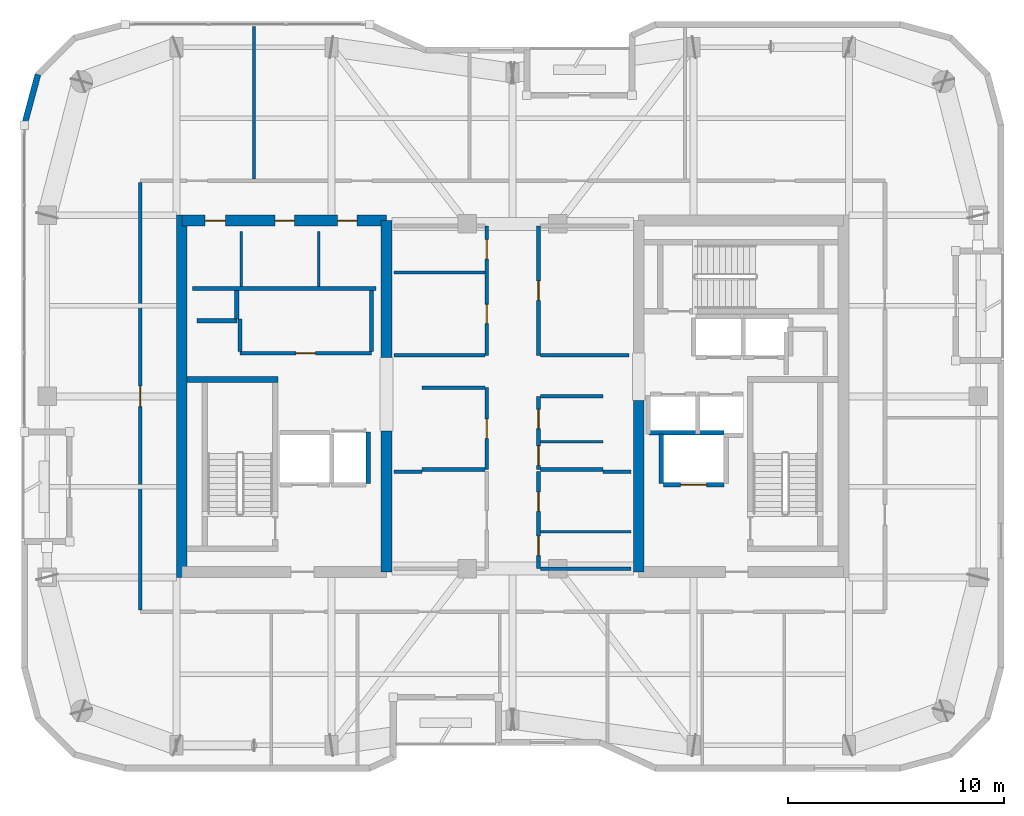
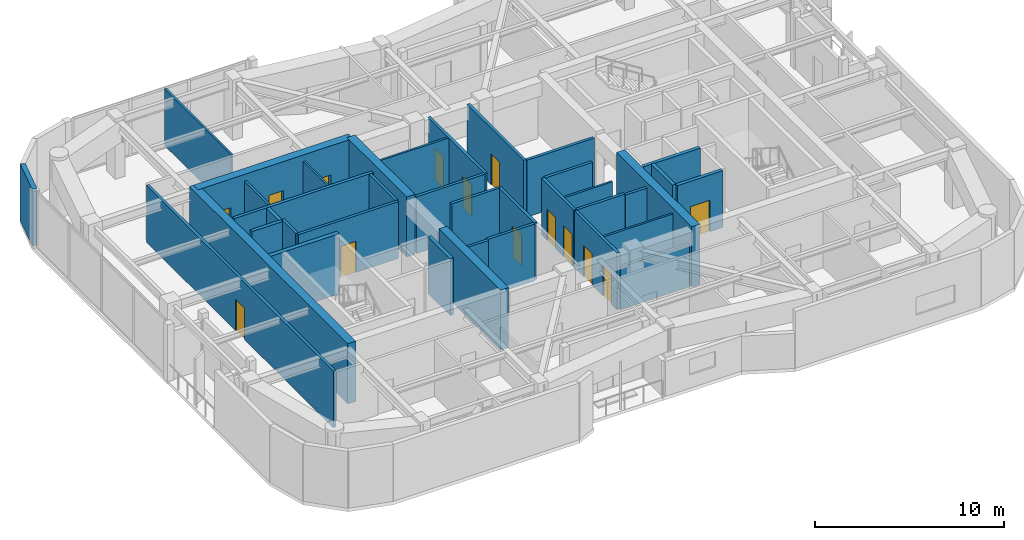
# One storey, part 11 of 15: 38 walls, 14 doors, 14 openings.
"""IFC4 building model written with IfcOpenShell, lengths in metres."""

from ifc_helpers import new_model, si_unit, direction, frame, frame_2d, origin, place, context, subcontext, project, spatial, rectangle, extrude, material, layer, layer_set, type_object, element, fill, save


model = new_model("IFC4")

# Units and contexts
model_context = context("Model", 3, precision=1e-05, world=origin(), true_north=direction((0.0, 1.0)))
body_context = subcontext(model_context, "Body", "Model", "MODEL_VIEW")
ifc_project = project(units=[si_unit("LENGTHUNIT", "METRE"), si_unit("AREAUNIT", "SQUARE_METRE"), si_unit("VOLUMEUNIT", "CUBIC_METRE"), si_unit("PLANEANGLEUNIT", "RADIAN"), si_unit("MASSUNIT", "GRAM", prefix="KILO")], contexts=[model_context])

# Site, building, storey
site_placement = place(None, origin())
site = spatial("IfcSite", under=ifc_project, at=site_placement, CompositionType="ELEMENT")
building_placement = place(site_placement, origin())
building = spatial("IfcBuilding", under=site, at=building_placement, Name="Kiyonajd Concourse Tower", CompositionType="ELEMENT")
storey_placement = place(building_placement, frame((0.0, 0.0, 318.0)))
storey = spatial("IfcBuildingStorey", under=building, at=storey_placement, Name="L80", CompositionType="ELEMENT", Elevation=318.0)

# Walls
ifc_material_1 = material(Name="Concrete C60/75", Category="concrete")
ifc_layer_1 = layer(ifc_material_1, 0.5)
ifc_layer_set_1 = layer_set([ifc_layer_1], Name="Concrete C60/75")
wall_type_1 = type_object("IfcWallType", Name="WL-CORE-500", PredefinedType="SHEAR", material=ifc_layer_set_1)
wall_1_placement = place(storey_placement, frame((32.64990234375, 27.60009765625, 0.0), z_axis=(0.0, 0.0, 1.0), x_axis=(0.0, 1.0, 0.0)))
element("IfcWall", 1, at=wall_1_placement, inside=storey, type_object=wall_type_1, Name="L80 West Core Outer Shear Wall", PredefinedType="SHEAR", context=body_context, shape_type="SweptSolid", body=[
    extrude(rectangle(XDim=16.7998046875, YDim=0.5, at=frame_2d((8.39990234375, 0.0))), origin(), (0.0, 0.0, 1.0), 3.89990234375),
])
wall_2_placement = place(storey_placement, frame((42.14990234375, 27.85009765625, 0.0), z_axis=(0.0, 0.0, 1.0), x_axis=(0.0, 1.0, 0.0)))
element("IfcWall", 2, at=wall_2_placement, inside=storey, type_object=wall_type_1, Name="L80 West Core Inner South Shear Wall", PredefinedType="SHEAR", context=body_context, shape_type="SweptSolid", body=[
    extrude(rectangle(XDim=6.5498046875, YDim=0.5, at=frame_2d((3.27490234375, 0.0))), origin(), (0.0, 0.0, 1.0), 3.89990234375),
])
wall_3_placement = place(storey_placement, frame((42.14990234375, 37.800048828125, 0.0), z_axis=(0.0, 0.0, 1.0), x_axis=(0.0, 1.0, 0.0)))
element("IfcWall", 3, at=wall_3_placement, inside=storey, type_object=wall_type_1, Name="L80 West Core Inner North Shear Wall", PredefinedType="SHEAR", context=body_context, shape_type="SweptSolid", body=[
    extrude(rectangle(XDim=6.349853515625, YDim=0.5, at=frame_2d((3.1748046875, 0.0))), origin(), (0.0, 0.0, 1.0), 3.89990234375),
])

# Wall, openings, doors
wall_4_placement = place(storey_placement, frame((32.64990234375, 44.14990234375, 0.0), z_axis=(0.0, 0.0, 1.0), x_axis=(1.0, 0.0, 0.0)))
wall_4 = element("IfcWall", 4, at=wall_4_placement, inside=storey, type_object=wall_type_1, Name="L80 West Core North Shear Wall", PredefinedType="SHEAR", context=body_context, shape_type="SweptSolid", body=[
    extrude(rectangle(XDim=9.5, YDim=0.5, at=frame_2d((4.75, 0.0))), origin(), (0.0, 0.0, 1.0), 3.89990234375),
])
opening_1_placement = place(wall_4_placement, frame((1.074951171875, 0.0, 0.0)))
opening_1 = element("IfcOpeningElement", 5, at=opening_1_placement, cuts=wall_4, Name="Opening DI1", PredefinedType="OPENING", context=body_context, shape_type="SweptSolid", body=[
    extrude(rectangle(XDim=0.949951171875, YDim=2.0400390625, at=frame_2d((0.47509765625, 1.02001953125))), frame((0.0, 0.260009765625, 0.0), z_axis=(0.0, -1.0, 0.0), x_axis=(1.0, 0.0, 0.0)), (0.0, 0.0, 1.0), 0.52001953125),
])
opening_2_placement = place(wall_4_placement, frame((4.324951171875, 0.0, 0.0)))
opening_2 = element("IfcOpeningElement", 6, at=opening_2_placement, cuts=wall_4, Name="Opening DI2", PredefinedType="OPENING", context=body_context, shape_type="SweptSolid", body=[
    extrude(rectangle(XDim=0.89990234375, YDim=2.02001953125, at=frame_2d((0.449951171875, 1.010009765625))), frame((0.0, 0.260009765625, 0.0), z_axis=(0.0, -1.0, 0.0), x_axis=(1.0, 0.0, 0.0)), (0.0, 0.0, 1.0), 0.52001953125),
])
opening_3_placement = place(wall_4_placement, frame((7.22509765625, 0.0, 0.0)))
opening_3 = element("IfcOpeningElement", 7, at=opening_3_placement, cuts=wall_4, Name="Opening DI2", PredefinedType="OPENING", context=body_context, shape_type="SweptSolid", body=[
    extrude(rectangle(XDim=0.89990234375, YDim=2.02001953125, at=frame_2d((0.449951171875, 1.010009765625))), frame((0.0, 0.260009765625, 0.0), z_axis=(0.0, -1.0, 0.0), x_axis=(1.0, 0.0, 0.0)), (0.0, 0.0, 1.0), 0.52001953125),
])
ifc_material_2 = material(Name="Natural Oak Acoustic Timber Veneer", Category="wood")
door_type_1 = type_object("IfcDoorType", Name="DR-INT-900", OperationType="NOTDEFINED", PredefinedType="DOOR", material=ifc_material_2)
door_1_placement = place(opening_2_placement, origin())
door_1 = element("IfcDoor", 8, at=door_1_placement, inside=storey, type_object=door_type_1, Name="L80 Male Restroom Door", OperationType="SINGLE_SWING_RIGHT", OverallHeight=2.02001953125, OverallWidth=0.89990234375, PredefinedType="DOOR", context=body_context, shape_type="SweptSolid", body=[
    extrude(rectangle(XDim=0.89990234375, YDim=2.02001953125, at=frame_2d((0.449951171875, 1.010009765625))), frame((0.0, 0.02490234375, 0.0), z_axis=(0.0, -1.0, 0.0), x_axis=(1.0, 0.0, 0.0)), (0.0, 0.0, 1.0), 0.050048828125),
])
fill(opening_2, door_1)
door_2_placement = place(opening_3_placement, origin())
door_2 = element("IfcDoor", 9, at=door_2_placement, inside=storey, type_object=door_type_1, Name="L80 Female Restroom Door", OperationType="SINGLE_SWING_LEFT", OverallHeight=2.02001953125, OverallWidth=0.89990234375, PredefinedType="DOOR", context=body_context, shape_type="SweptSolid", body=[
    extrude(rectangle(XDim=0.89990234375, YDim=2.02001953125, at=frame_2d((0.449951171875, 1.010009765625))), frame((0.0, 0.02490234375, 0.0), z_axis=(0.0, -1.0, 0.0), x_axis=(1.0, 0.0, 0.0)), (0.0, 0.0, 1.0), 0.050048828125),
])
fill(opening_3, door_2)
door_type_2 = type_object("IfcDoorType", Name="DR-INT-950", OperationType="NOTDEFINED", PredefinedType="DOOR", material=ifc_material_2)
door_3_placement = place(opening_1_placement, origin())
door_3 = element("IfcDoor", 10, at=door_3_placement, inside=storey, type_object=door_type_2, Name="L80 Single User Accessible WC Door", OperationType="SINGLE_SWING_LEFT", OverallHeight=2.0400390625, OverallWidth=0.949951171875, PredefinedType="DOOR", context=body_context, shape_type="SweptSolid", body=[
    extrude(rectangle(XDim=0.949951171875, YDim=2.0400390625, at=frame_2d((0.47509765625, 1.02001953125))), frame((0.0, 0.02490234375, 0.0), z_axis=(0.0, -1.0, 0.0), x_axis=(1.0, 0.0, 0.0)), (0.0, 0.0, 1.0), 0.050048828125),
])
fill(opening_1, door_3)

# Walls
wall_5_placement = place(storey_placement, frame((53.85009765625, 27.85009765625, 0.0), z_axis=(0.0, 0.0, 1.0), x_axis=(0.0, 1.0, 0.0)))
element("IfcWall", 11, at=wall_5_placement, inside=storey, type_object=wall_type_1, Name="L80 East Core Inner South Shear Wall", PredefinedType="SHEAR", context=body_context, shape_type="SweptSolid", body=[
    extrude(rectangle(XDim=7.949951171875, YDim=0.5, at=frame_2d((3.97509765625, 0.0))), origin(), (0.0, 0.0, 1.0), 3.89990234375),
])
ifc_material_3 = material(Name="Precast concrete C50/60", Category="concrete")
ifc_layer_2 = layer(ifc_material_3, 0.280029296875)
ifc_layer_set_2 = layer_set([ifc_layer_2], Name="Precast concrete C50/60")
wall_type_2 = type_object("IfcWallType", Name="WL-EXT-280", PredefinedType="SOLIDWALL", material=ifc_layer_set_2)
wall_6_placement = place(storey_placement, frame((25.340087890625, 48.58154296875, 0.0), z_axis=(0.0, 0.0, 1.0), x_axis=(0.258751159445, 0.965944013639, 0.0)))
element("IfcWall", 12, at=wall_6_placement, inside=storey, type_object=wall_type_2, Name="L80 Exterior Concrete Frame Wall 06", PredefinedType="SOLIDWALL", context=body_context, shape_type="SweptSolid", body=[
    extrude(rectangle(XDim=2.4287109375, YDim=0.280029296875, at=frame_2d((1.21435546875, 0.0))), origin(), (0.0, 0.0, 1.0), 3.679931640625),
])
ifc_material_4 = material(Name="Gypsum Board on Cold-Formed Steel Stud", Category="steel")
ifc_layer_3 = layer(ifc_material_4, 0.125)
ifc_layer_set_3 = layer_set([ifc_layer_3], Name="Gypsum Board on Cold-Formed Steel Stud")
wall_type_3 = type_object("IfcWallType", Name="WL-PART-125", PredefinedType="PARTITIONING", material=ifc_layer_set_3)
for number, where, z_axis, x_axis, name in (
    (13, (35.39990234375, 41.094970703125, 0.0), (0.0, 0.0, 1.0), (0.0, 1.0, 0.0), "L80 Interior Partition Wall"),
    (14, (39.0, 41.094970703125, 0.0), (0.0, 0.0, 1.0), (0.0, 1.0, 0.0), "L80 Interior Partition Wall"),
):
    element("IfcWall", number, at=place(storey_placement, frame(where, z_axis=z_axis, x_axis=x_axis)), inside=storey, type_object=wall_type_3, Name=name, PredefinedType="PARTITIONING", context=body_context, shape_type="SweptSolid", body=[
        extrude(rectangle(XDim=2.554931640625, YDim=0.125, at=frame_2d((1.27734375, 0.0))), origin(), (0.0, 0.0, 1.0), 3.679931640625),
    ])
wall_7_placement = place(storey_placement, frame((49.287109375, 33.89208984375, 0.0), z_axis=(0.0, 0.0, 1.0), x_axis=(1.0, 0.0, 0.0)))
element("IfcWall", 15, at=wall_7_placement, inside=storey, type_object=wall_type_3, Name="L80 Interior Partition Wall", PredefinedType="PARTITIONING", context=body_context, shape_type="SweptSolid", body=[
    extrude(rectangle(XDim=2.912841796875, YDim=0.125, at=frame_2d((1.45654296875, 0.0))), origin(), (0.0, 0.0, 1.0), 3.679931640625),
])
for number, where, z_axis, x_axis, name in (
    (16, (49.287109375, 29.7099609375, 0.0), (0.0, 0.0, 1.0), (1.0, 0.0, 0.0), "L80 Interior Partition Wall"),
    (17, (42.5, 41.739990234375, 0.0), (0.0, 0.0, 1.0), (1.0, 0.0, 0.0), "L80 Interior Partition Wall"),
):
    element("IfcWall", number, at=place(storey_placement, frame(where, z_axis=z_axis, x_axis=x_axis)), inside=storey, type_object=wall_type_3, Name=name, PredefinedType="PARTITIONING", context=body_context, shape_type="SweptSolid", body=[
        extrude(rectangle(XDim=4.212890625, YDim=0.125, at=frame_2d((2.1064453125, 0.0))), origin(), (0.0, 0.0, 1.0), 3.679931640625),
    ])
wall_8_placement = place(storey_placement, frame((36.0, 46.0869140625, 0.0), z_axis=(0.0, 0.0, 1.0), x_axis=(0.0, 1.0, 0.0)))
element("IfcWall", 18, at=wall_8_placement, inside=storey, type_object=wall_type_3, Name="L80 Interior Partition Wall", PredefinedType="PARTITIONING", context=body_context, shape_type="SweptSolid", body=[
    extrude(rectangle(XDim=7.078125, YDim=0.125, at=frame_2d((3.5390625, 0.0))), origin(), (0.0, 0.0, 1.0), 3.679931640625),
])
ifc_layer_4 = layer(ifc_material_4, 0.18994140625)
ifc_layer_set_4 = layer_set([ifc_layer_4], Name="Gypsum Board on Cold-Formed Steel Stud")
wall_type_4 = type_object("IfcWallType", Name="WL-PLMB-190", PredefinedType="PLUMBINGWALL", material=ifc_layer_set_4)
wall_9_placement = place(storey_placement, frame((33.14990234375, 41.0, 0.0), z_axis=(0.0, 0.0, 1.0), x_axis=(1.0, 0.0, 0.0)))
element("IfcWall", 19, at=wall_9_placement, inside=storey, type_object=wall_type_4, Name="L80 Interior Partition Wall", PredefinedType="PLUMBINGWALL", context=body_context, shape_type="SweptSolid", body=[
    extrude(rectangle(XDim=8.5, YDim=0.18994140625, at=frame_2d((4.25, 0.0))), origin(), (0.0, 0.0, 1.0), 3.679931640625),
])
ifc_layer_5 = layer(ifc_material_4, 0.2099609375)
ifc_layer_set_5 = layer_set([ifc_layer_5], Name="Gypsum Board on Cold-Formed Steel Stud")
wall_type_5 = type_object("IfcWallType", Name="WL-SHAFT-210", PredefinedType="PARTITIONING", material=ifc_layer_set_5)
wall_10_placement = place(storey_placement, frame((33.360107421875, 39.5, 0.0), z_axis=(0.0, 0.0, 1.0), x_axis=(1.0, 0.0, 0.0)))
element("IfcWall", 20, at=wall_10_placement, inside=storey, type_object=wall_type_5, Name="L80 Shaft Enclosure Wall", PredefinedType="PARTITIONING", context=body_context, shape_type="SweptSolid", body=[
    extrude(rectangle(XDim=1.85986328125, YDim=0.2099609375, at=frame_2d((0.929931640625, 0.0))), origin(), (0.0, 0.0, 1.0), 3.679931640625),
])
wall_11_placement = place(storey_placement, frame((35.199951171875, 39.580078125, 0.0), z_axis=(0.0, 0.0, 1.0), x_axis=(0.0, 1.0, 0.0)))
element("IfcWall", 21, at=wall_11_placement, inside=storey, type_object=wall_type_5, Name="L80 Shaft Enclosure Wall", PredefinedType="PARTITIONING", context=body_context, shape_type="SweptSolid", body=[
    extrude(rectangle(XDim=1.31982421875, YDim=0.2099609375, at=frame_2d((0.659912109375, 0.0))), origin(), (0.0, 0.0, 1.0), 3.679931640625),
])

# Wall, opening, door
wall_12_placement = place(storey_placement, frame((55.0, 31.89990234375, 0.0), z_axis=(0.0, 0.0, 1.0), x_axis=(1.0, 0.0, 0.0)))
wall_12 = element("IfcWall", 22, at=wall_12_placement, inside=storey, type_object=wall_type_5, Name="L80 Shaft Enclosure Wall", PredefinedType="PARTITIONING", context=body_context, shape_type="SweptSolid", body=[
    extrude(rectangle(XDim=2.800048828125, YDim=0.2099609375, at=frame_2d((1.39990234375, 0.0))), origin(), (0.0, 0.0, 1.0), 3.679931640625),
])
opening_4_placement = place(wall_12_placement, frame((0.800048828125, 0.0, 0.0)))
opening_4 = element("IfcOpeningElement", 23, at=opening_4_placement, cuts=wall_12, Name="Opening LD2", PredefinedType="OPENING", context=body_context, shape_type="SweptSolid", body=[
    extrude(rectangle(XDim=1.199951171875, YDim=2.0400390625, at=frame_2d((0.60009765625, 1.02001953125))), frame((0.0, 0.114990234375, 0.0), z_axis=(0.0, -1.0, 0.0), x_axis=(1.0, 0.0, 0.0)), (0.0, 0.0, 1.0), 0.22998046875),
])
ifc_material_5 = material(Name="Brushed Stainless Steel Cab Assembly", Category="steel")
door_type_3 = type_object("IfcDoorType", Name="DR-LD-1200", OperationType="DOUBLE_DOOR_SLIDING", PredefinedType="DOOR", material=ifc_material_5)
door_4_placement = place(opening_4_placement, origin())
door_4 = element("IfcDoor", 24, at=door_4_placement, inside=storey, type_object=door_type_3, Name="L80 Lift FFL2 Sliding Landing Door", OperationType="DOUBLE_DOOR_SLIDING", OverallHeight=2.0400390625, OverallWidth=1.199951171875, PredefinedType="DOOR", context=body_context, shape_type="SweptSolid", body=[
    extrude(rectangle(XDim=1.199951171875, YDim=2.0400390625, at=frame_2d((0.60009765625, 1.02001953125))), frame((0.0, 0.02490234375, 0.0), z_axis=(0.0, -1.0, 0.0), x_axis=(1.0, 0.0, 0.0)), (0.0, 0.0, 1.0), 0.050048828125),
])
fill(opening_4, door_4)

# Walls
wall_13_placement = place(storey_placement, frame((54.320068359375, 34.300048828125, 0.0), z_axis=(0.0, 0.0, 1.0), x_axis=(1.0, 0.0, 0.0)))
element("IfcWall", 25, at=wall_13_placement, inside=storey, type_object=wall_type_5, Name="L80 Shaft Enclosure Wall", PredefinedType="PARTITIONING", context=body_context, shape_type="SweptSolid", body=[
    extrude(rectangle(XDim=3.47998046875, YDim=0.2099609375, at=frame_2d((1.739990234375, 0.0))), origin(), (0.0, 0.0, 1.0), 3.679931640625),
])
wall_14_placement = place(storey_placement, frame((54.89990234375, 31.9599609375, 0.0), z_axis=(0.0, 0.0, 1.0), x_axis=(0.0, 1.0, 0.0)))
element("IfcWall", 26, at=wall_14_placement, inside=storey, type_object=wall_type_5, Name="L80 Shaft Enclosure Wall", PredefinedType="PARTITIONING", context=body_context, shape_type="SweptSolid", body=[
    extrude(rectangle(XDim=2.280029296875, YDim=0.2099609375, at=frame_2d((1.14013671875, 0.0))), origin(), (0.0, 0.0, 1.0), 3.679931640625),
])
wall_15_placement = place(storey_placement, frame((41.300048828125, 31.9599609375, 0.0), z_axis=(0.0, 0.0, 1.0), x_axis=(0.0, 1.0, 0.0)))
element("IfcWall", 27, at=wall_15_placement, inside=storey, type_object=wall_type_5, Name="L80 Shaft Enclosure Wall", PredefinedType="PARTITIONING", context=body_context, shape_type="SweptSolid", body=[
    extrude(rectangle(XDim=2.380126953125, YDim=0.2099609375, at=frame_2d((1.18994140625, 0.0))), origin(), (0.0, 0.0, 1.0), 3.679931640625),
])

# Wall, opening, door
ifc_layer_6 = layer(ifc_material_4, 0.169921875)
ifc_layer_set_6 = layer_set([ifc_layer_6], Name="Gypsum Board on Cold-Formed Steel Stud")
wall_type_6 = type_object("IfcWallType", Name="WL-SMK-170", PredefinedType="PARTITIONING", material=ifc_layer_set_6)
wall_16_placement = place(storey_placement, frame((35.35009765625, 38.0, 0.0), z_axis=(0.0, 0.0, 1.0), x_axis=(1.0, 0.0, 0.0)))
wall_16 = element("IfcWall", 28, at=wall_16_placement, inside=storey, type_object=wall_type_6, Name="L80 Interior Partition Wall", PredefinedType="PARTITIONING", context=body_context, shape_type="SweptSolid", body=[
    extrude(rectangle(XDim=6.099853515625, YDim=0.169921875, at=frame_2d((3.0498046875, 0.0))), origin(), (0.0, 0.0, 1.0), 3.679931640625),
])
opening_5_placement = place(wall_16_placement, frame((2.60009765625, 0.0, 0.0)))
opening_5 = element("IfcOpeningElement", 29, at=opening_5_placement, cuts=wall_16, Name="Opening DI2", PredefinedType="OPENING", context=body_context, shape_type="SweptSolid", body=[
    extrude(rectangle(XDim=0.89990234375, YDim=2.02001953125, at=frame_2d((0.449951171875, 1.010009765625))), frame((0.0, 0.094970703125, 0.0), z_axis=(0.0, -1.0, 0.0), x_axis=(1.0, 0.0, 0.0)), (0.0, 0.0, 1.0), 0.18994140625),
])
door_5_placement = place(opening_5_placement, origin())
door_5 = element("IfcDoor", 30, at=door_5_placement, inside=storey, type_object=door_type_1, Name="L80 Interior Door", OperationType="SINGLE_SWING_LEFT", OverallHeight=2.02001953125, OverallWidth=0.89990234375, PredefinedType="DOOR", context=body_context, shape_type="SweptSolid", body=[
    extrude(rectangle(XDim=0.89990234375, YDim=2.02001953125, at=frame_2d((0.449951171875, 1.010009765625))), frame((0.0, 0.02490234375, 0.0), z_axis=(0.0, -1.0, 0.0), x_axis=(1.0, 0.0, 0.0)), (0.0, 0.0, 1.0), 0.050048828125),
])
fill(opening_5, door_5)

# Walls
wall_17_placement = place(storey_placement, frame((35.35009765625, 38.0869140625, 0.0), z_axis=(0.0, 0.0, 1.0), x_axis=(0.0, 1.0, 0.0)))
element("IfcWall", 31, at=wall_17_placement, inside=storey, type_object=wall_type_6, Name="L80 Interior Partition Wall", PredefinedType="PARTITIONING", context=body_context, shape_type="SweptSolid", body=[
    extrude(rectangle(XDim=1.4931640625, YDim=0.169921875, at=frame_2d((0.74658203125, 0.0))), origin(), (0.0, 0.0, 1.0), 3.679931640625),
])
wall_18_placement = place(storey_placement, frame((41.449951171875, 38.0869140625, 0.0), z_axis=(0.0, 0.0, 1.0), x_axis=(0.0, 1.0, 0.0)))
element("IfcWall", 32, at=wall_18_placement, inside=storey, type_object=wall_type_6, Name="L80 Interior Partition Wall", PredefinedType="PARTITIONING", context=body_context, shape_type="SweptSolid", body=[
    extrude(rectangle(XDim=2.81298828125, YDim=0.169921875, at=frame_2d((1.406494140625, 0.0))), origin(), (0.0, 0.0, 1.0), 3.679931640625),
])

# Wall, opening, door
wall_19_placement = place(storey_placement, frame((46.800048828125, 32.60009765625, 0.0), z_axis=(0.0, 0.0, 1.0), x_axis=(0.0, 1.0, 0.0)))
wall_19 = element("IfcWall", 33, at=wall_19_placement, inside=storey, type_object=wall_type_6, Name="L80 Interior Partition Wall", PredefinedType="PARTITIONING", context=body_context, shape_type="SweptSolid", body=[
    extrude(rectangle(XDim=3.7998046875, YDim=0.169921875, at=frame_2d((1.89990234375, 0.0))), origin(), (0.0, 0.0, 1.0), 3.679931640625),
])
opening_6_placement = place(wall_19_placement, frame((1.449951171875, 0.0, 0.0)))
opening_6 = element("IfcOpeningElement", 34, at=opening_6_placement, cuts=wall_19, Name="Opening DI2", PredefinedType="OPENING", context=body_context, shape_type="SweptSolid", body=[
    extrude(rectangle(XDim=0.89990234375, YDim=2.02001953125, at=frame_2d((0.449951171875, 1.010009765625))), frame((0.0, 0.094970703125, 0.0), z_axis=(0.0, -1.0, 0.0), x_axis=(1.0, 0.0, 0.0)), (0.0, 0.0, 1.0), 0.18994140625),
])
door_6_placement = place(opening_6_placement, origin())
door_6 = element("IfcDoor", 35, at=door_6_placement, inside=storey, type_object=door_type_1, Name="L80 Interior Door", OperationType="SINGLE_SWING_RIGHT", OverallHeight=2.02001953125, OverallWidth=0.89990234375, PredefinedType="DOOR", context=body_context, shape_type="SweptSolid", body=[
    extrude(rectangle(XDim=0.89990234375, YDim=2.02001953125, at=frame_2d((0.449951171875, 1.010009765625))), frame((0.0, 0.02490234375, 0.0), z_axis=(0.0, -1.0, 0.0), x_axis=(1.0, 0.0, 0.0)), (0.0, 0.0, 1.0), 0.050048828125),
])
fill(opening_6, door_6)

# Walls
for number, where, z_axis, x_axis, name in (
    (36, (43.800048828125, 32.60009765625, 0.0), (0.0, 0.0, 1.0), (1.0, 0.0, 0.0), "L80 Interior Partition Wall"),
    (37, (43.800048828125, 36.39990234375, 0.0), (0.0, 0.0, 1.0), (1.0, 0.0, 0.0), "L80 Interior Partition Wall"),
):
    element("IfcWall", number, at=place(storey_placement, frame(where, z_axis=z_axis, x_axis=x_axis)), inside=storey, type_object=wall_type_6, Name=name, PredefinedType="PARTITIONING", context=body_context, shape_type="SweptSolid", body=[
        extrude(rectangle(XDim=2.912841796875, YDim=0.169921875, at=frame_2d((1.45654296875, 0.0))), origin(), (0.0, 0.0, 1.0), 3.679931640625),
    ])

# Wall, openings, doors
wall_20_placement = place(storey_placement, frame((49.199951171875, 32.60009765625, 0.0), z_axis=(0.0, 0.0, 1.0), x_axis=(0.0, 1.0, 0.0)))
wall_20 = element("IfcWall", 38, at=wall_20_placement, inside=storey, type_object=wall_type_6, Name="L80 Interior Partition Wall", PredefinedType="PARTITIONING", context=body_context, shape_type="SweptSolid", body=[
    extrude(rectangle(XDim=3.39990234375, YDim=0.169921875, at=frame_2d((1.699951171875, 0.0))), origin(), (0.0, 0.0, 1.0), 3.679931640625),
])
opening_7_placement = place(wall_20_placement, frame((0.196044921875, 0.0, 0.0)))
opening_7 = element("IfcOpeningElement", 39, at=opening_7_placement, cuts=wall_20, Name="Opening DI2", PredefinedType="OPENING", context=body_context, shape_type="SweptSolid", body=[
    extrude(rectangle(XDim=0.89990234375, YDim=2.02001953125, at=frame_2d((0.449951171875, 1.010009765625))), frame((0.0, 0.094970703125, 0.0), z_axis=(0.0, -1.0, 0.0), x_axis=(1.0, 0.0, 0.0)), (0.0, 0.0, 1.0), 0.18994140625),
])
opening_8_placement = place(wall_20_placement, frame((1.89599609375, 0.0, 0.0)))
opening_8 = element("IfcOpeningElement", 40, at=opening_8_placement, cuts=wall_20, Name="Opening DI2", PredefinedType="OPENING", context=body_context, shape_type="SweptSolid", body=[
    extrude(rectangle(XDim=0.89990234375, YDim=2.02001953125, at=frame_2d((0.449951171875, 1.010009765625))), frame((0.0, 0.094970703125, 0.0), z_axis=(0.0, -1.0, 0.0), x_axis=(1.0, 0.0, 0.0)), (0.0, 0.0, 1.0), 0.18994140625),
])
door_7_placement = place(opening_7_placement, origin())
door_7 = element("IfcDoor", 41, at=door_7_placement, inside=storey, type_object=door_type_1, Name="L80 Interior Door", OperationType="SINGLE_SWING_LEFT", OverallHeight=2.02001953125, OverallWidth=0.89990234375, PredefinedType="DOOR", context=body_context, shape_type="SweptSolid", body=[
    extrude(rectangle(XDim=0.89990234375, YDim=2.02001953125, at=frame_2d((0.449951171875, 1.010009765625))), frame((0.0, 0.02490234375, 0.0), z_axis=(0.0, -1.0, 0.0), x_axis=(1.0, 0.0, 0.0)), (0.0, 0.0, 1.0), 0.050048828125),
])
fill(opening_7, door_7)
door_8_placement = place(opening_8_placement, origin())
door_8 = element("IfcDoor", 42, at=door_8_placement, inside=storey, type_object=door_type_1, Name="L80 Interior Door", OperationType="SINGLE_SWING_RIGHT", OverallHeight=2.02001953125, OverallWidth=0.89990234375, PredefinedType="DOOR", context=body_context, shape_type="SweptSolid", body=[
    extrude(rectangle(XDim=0.89990234375, YDim=2.02001953125, at=frame_2d((0.449951171875, 1.010009765625))), frame((0.0, 0.02490234375, 0.0), z_axis=(0.0, -1.0, 0.0), x_axis=(1.0, 0.0, 0.0)), (0.0, 0.0, 1.0), 0.050048828125),
])
fill(opening_8, door_8)

# Walls
for number, where, z_axis, x_axis, name in (
    (43, (49.287109375, 32.60009765625, 0.0), (0.0, 0.0, 1.0), (1.0, 0.0, 0.0), "L80 Interior Partition Wall"),
    (44, (49.287109375, 36.0, 0.0), (0.0, 0.0, 1.0), (1.0, 0.0, 0.0), "L80 Interior Partition Wall"),
):
    element("IfcWall", number, at=place(storey_placement, frame(where, z_axis=z_axis, x_axis=x_axis)), inside=storey, type_object=wall_type_6, Name=name, PredefinedType="PARTITIONING", context=body_context, shape_type="SweptSolid", body=[
        extrude(rectangle(XDim=2.912841796875, YDim=0.169921875, at=frame_2d((1.45654296875, 0.0))), origin(), (0.0, 0.0, 1.0), 3.679931640625),
    ])
wall_21_placement = place(storey_placement, frame((42.5, 32.5, 0.0), z_axis=(0.0, 0.0, 1.0), x_axis=(1.0, 0.0, 0.0)))
element("IfcWall", 45, at=wall_21_placement, inside=storey, type_object=wall_type_6, Name="L80 Interior Partition Wall", PredefinedType="PARTITIONING", context=body_context, shape_type="SweptSolid", body=[
    extrude(rectangle(XDim=1.300048828125, YDim=0.169921875, at=frame_2d((0.64990234375, 0.0))), origin(), (0.0, 0.0, 1.0), 3.679931640625),
])

# Wall, openings, doors
wall_22_placement = place(storey_placement, frame((49.199951171875, 28.0, 0.0), z_axis=(0.0, 0.0, 1.0), x_axis=(0.0, 1.0, 0.0)))
wall_22 = element("IfcWall", 46, at=wall_22_placement, inside=storey, type_object=wall_type_6, Name="L80 Interior Partition Wall", PredefinedType="PARTITIONING", context=body_context, shape_type="SweptSolid", body=[
    extrude(rectangle(XDim=4.5, YDim=0.169921875, at=frame_2d((2.25, 0.0))), origin(), (0.0, 0.0, 1.0), 3.679931640625),
])
opening_9_placement = place(wall_22_placement, frame((0.60498046875, 0.0, 0.0)))
opening_9 = element("IfcOpeningElement", 47, at=opening_9_placement, cuts=wall_22, Name="Opening DI2", PredefinedType="OPENING", context=body_context, shape_type="SweptSolid", body=[
    extrude(rectangle(XDim=0.89990234375, YDim=2.02001953125, at=frame_2d((0.449951171875, 1.010009765625))), frame((0.0, 0.094970703125, 0.0), z_axis=(0.0, -1.0, 0.0), x_axis=(1.0, 0.0, 0.0)), (0.0, 0.0, 1.0), 0.18994140625),
])
opening_10_placement = place(wall_22_placement, frame((2.655029296875, 0.0, 0.0)))
opening_10 = element("IfcOpeningElement", 48, at=opening_10_placement, cuts=wall_22, Name="Opening DI2", PredefinedType="OPENING", context=body_context, shape_type="SweptSolid", body=[
    extrude(rectangle(XDim=0.89990234375, YDim=2.02001953125, at=frame_2d((0.449951171875, 1.010009765625))), frame((0.0, 0.094970703125, 0.0), z_axis=(0.0, -1.0, 0.0), x_axis=(1.0, 0.0, 0.0)), (0.0, 0.0, 1.0), 0.18994140625),
])
door_9_placement = place(opening_9_placement, origin())
door_9 = element("IfcDoor", 49, at=door_9_placement, inside=storey, type_object=door_type_1, Name="L80 Interior Door", OperationType="SINGLE_SWING_RIGHT", OverallHeight=2.02001953125, OverallWidth=0.89990234375, PredefinedType="DOOR", context=body_context, shape_type="SweptSolid", body=[
    extrude(rectangle(XDim=0.89990234375, YDim=2.02001953125, at=frame_2d((0.449951171875, 1.010009765625))), frame((0.0, 0.02490234375, 0.0), z_axis=(0.0, -1.0, 0.0), x_axis=(1.0, 0.0, 0.0)), (0.0, 0.0, 1.0), 0.050048828125),
])
fill(opening_9, door_9)
door_10_placement = place(opening_10_placement, origin())
door_10 = element("IfcDoor", 50, at=door_10_placement, inside=storey, type_object=door_type_1, Name="L80 Interior Door", OperationType="SINGLE_SWING_LEFT", OverallHeight=2.02001953125, OverallWidth=0.89990234375, PredefinedType="DOOR", context=body_context, shape_type="SweptSolid", body=[
    extrude(rectangle(XDim=0.89990234375, YDim=2.02001953125, at=frame_2d((0.449951171875, 1.010009765625))), frame((0.0, 0.02490234375, 0.0), z_axis=(0.0, -1.0, 0.0), x_axis=(1.0, 0.0, 0.0)), (0.0, 0.0, 1.0), 0.050048828125),
])
fill(opening_10, door_10)

# Walls
wall_23_placement = place(storey_placement, frame((49.287109375, 28.0, 0.0), z_axis=(0.0, 0.0, 1.0), x_axis=(1.0, 0.0, 0.0)))
element("IfcWall", 51, at=wall_23_placement, inside=storey, type_object=wall_type_6, Name="L80 Interior Partition Wall", PredefinedType="PARTITIONING", context=body_context, shape_type="SweptSolid", body=[
    extrude(rectangle(XDim=4.212890625, YDim=0.169921875, at=frame_2d((2.1064453125, 0.0))), origin(), (0.0, 0.0, 1.0), 2.764892578125),
])
wall_24_placement = place(storey_placement, frame((52.199951171875, 32.5, 0.0), z_axis=(0.0, 0.0, 1.0), x_axis=(1.0, 0.0, 0.0)))
element("IfcWall", 52, at=wall_24_placement, inside=storey, type_object=wall_type_6, Name="L80 Interior Partition Wall", PredefinedType="PARTITIONING", context=body_context, shape_type="SweptSolid", body=[
    extrude(rectangle(XDim=1.300048828125, YDim=0.169921875, at=frame_2d((0.64990234375, 0.0))), origin(), (0.0, 0.0, 1.0), 3.679931640625),
])

# Wall, openings, doors
wall_25_placement = place(storey_placement, frame((46.800048828125, 37.89990234375, 0.0), z_axis=(0.0, 0.0, 1.0), x_axis=(0.0, 1.0, 0.0)))
wall_25 = element("IfcWall", 53, at=wall_25_placement, inside=storey, type_object=wall_type_6, Name="L80 Interior Partition Wall", PredefinedType="PARTITIONING", context=body_context, shape_type="SweptSolid", body=[
    extrude(rectangle(XDim=6.0, YDim=0.169921875, at=frame_2d((3.0, 0.0))), origin(), (0.0, 0.0, 1.0), 3.679931640625),
])
opening_11_placement = place(wall_25_placement, frame((1.469970703125, 0.0, 0.0)))
opening_11 = element("IfcOpeningElement", 54, at=opening_11_placement, cuts=wall_25, Name="Opening DF4", PredefinedType="OPENING", context=body_context, shape_type="SweptSolid", body=[
    extrude(rectangle(XDim=0.89990234375, YDim=2.02001953125, at=frame_2d((0.449951171875, 1.010009765625))), frame((0.0, 0.094970703125, 0.0), z_axis=(0.0, -1.0, 0.0), x_axis=(1.0, 0.0, 0.0)), (0.0, 0.0, 1.0), 0.18994140625),
])
opening_12_placement = place(wall_25_placement, frame((4.469970703125, 0.0, 0.0)))
opening_12 = element("IfcOpeningElement", 55, at=opening_12_placement, cuts=wall_25, Name="Opening DF4", PredefinedType="OPENING", context=body_context, shape_type="SweptSolid", body=[
    extrude(rectangle(XDim=0.89990234375, YDim=2.02001953125, at=frame_2d((0.449951171875, 1.010009765625))), frame((0.0, 0.094970703125, 0.0), z_axis=(0.0, -1.0, 0.0), x_axis=(1.0, 0.0, 0.0)), (0.0, 0.0, 1.0), 0.18994140625),
])
door_type_4 = type_object("IfcDoorType", Name="DR-FD60-900", OperationType="NOTDEFINED", PredefinedType="DOOR", material=ifc_material_5)
door_11_placement = place(opening_11_placement, origin())
door_11 = element("IfcDoor", 56, at=door_11_placement, inside=storey, type_object=door_type_4, Name="L80 Interior Door", OperationType="SINGLE_SWING_RIGHT", OverallHeight=2.02001953125, OverallWidth=0.89990234375, PredefinedType="DOOR", context=body_context, shape_type="SweptSolid", body=[
    extrude(rectangle(XDim=0.89990234375, YDim=2.02001953125, at=frame_2d((0.449951171875, 1.010009765625))), frame((0.0, 0.02490234375, 0.0), z_axis=(0.0, -1.0, 0.0), x_axis=(1.0, 0.0, 0.0)), (0.0, 0.0, 1.0), 0.050048828125),
])
fill(opening_11, door_11)
door_12_placement = place(opening_12_placement, origin())
door_12 = element("IfcDoor", 57, at=door_12_placement, inside=storey, type_object=door_type_4, Name="L80 Interior Door", OperationType="SINGLE_SWING_LEFT", OverallHeight=2.02001953125, OverallWidth=0.89990234375, PredefinedType="DOOR", context=body_context, shape_type="SweptSolid", body=[
    extrude(rectangle(XDim=0.89990234375, YDim=2.02001953125, at=frame_2d((0.449951171875, 1.010009765625))), frame((0.0, 0.02490234375, 0.0), z_axis=(0.0, -1.0, 0.0), x_axis=(1.0, 0.0, 0.0)), (0.0, 0.0, 1.0), 0.050048828125),
])
fill(opening_12, door_12)

# Wall
wall_26_placement = place(storey_placement, frame((42.5, 37.89990234375, 0.0), z_axis=(0.0, 0.0, 1.0), x_axis=(1.0, 0.0, 0.0)))
element("IfcWall", 58, at=wall_26_placement, inside=storey, type_object=wall_type_6, Name="L80 Interior Partition Wall", PredefinedType="PARTITIONING", context=body_context, shape_type="SweptSolid", body=[
    extrude(rectangle(XDim=4.212890625, YDim=0.169921875, at=frame_2d((2.1064453125, 0.0))), origin(), (0.0, 0.0, 1.0), 3.679931640625),
])

# Wall, opening, door
wall_27_placement = place(storey_placement, frame((49.199951171875, 37.89990234375, 0.0), z_axis=(0.0, 0.0, 1.0), x_axis=(0.0, 1.0, 0.0)))
wall_27 = element("IfcWall", 59, at=wall_27_placement, inside=storey, type_object=wall_type_6, Name="L80 Interior Partition Wall", PredefinedType="PARTITIONING", context=body_context, shape_type="SweptSolid", body=[
    extrude(rectangle(XDim=6.0, YDim=0.169921875, at=frame_2d((3.0, 0.0))), origin(), (0.0, 0.0, 1.0), 3.679931640625),
])
opening_13_placement = place(wall_27_placement, frame((2.550048828125, 0.0, 0.0)))
opening_13 = element("IfcOpeningElement", 60, at=opening_13_placement, cuts=wall_27, Name="Opening DI2", PredefinedType="OPENING", context=body_context, shape_type="SweptSolid", body=[
    extrude(rectangle(XDim=0.89990234375, YDim=2.02001953125, at=frame_2d((0.449951171875, 1.010009765625))), frame((0.0, 0.094970703125, 0.0), z_axis=(0.0, -1.0, 0.0), x_axis=(1.0, 0.0, 0.0)), (0.0, 0.0, 1.0), 0.18994140625),
])
door_13_placement = place(opening_13_placement, origin())
door_13 = element("IfcDoor", 61, at=door_13_placement, inside=storey, type_object=door_type_1, Name="L80 Interior Door", OperationType="SINGLE_SWING_RIGHT", OverallHeight=2.02001953125, OverallWidth=0.89990234375, PredefinedType="DOOR", context=body_context, shape_type="SweptSolid", body=[
    extrude(rectangle(XDim=0.89990234375, YDim=2.02001953125, at=frame_2d((0.449951171875, 1.010009765625))), frame((0.0, 0.02490234375, 0.0), z_axis=(0.0, -1.0, 0.0), x_axis=(1.0, 0.0, 0.0)), (0.0, 0.0, 1.0), 0.050048828125),
])
fill(opening_13, door_13)

# Wall
wall_28_placement = place(storey_placement, frame((49.287109375, 37.89990234375, 0.0), z_axis=(0.0, 0.0, 1.0), x_axis=(1.0, 0.0, 0.0)))
element("IfcWall", 62, at=wall_28_placement, inside=storey, type_object=wall_type_6, Name="L80 Interior Partition Wall", PredefinedType="PARTITIONING", context=body_context, shape_type="SweptSolid", body=[
    extrude(rectangle(XDim=4.11279296875, YDim=0.169921875, at=frame_2d((2.056396484375, 0.0))), origin(), (0.0, 0.0, 1.0), 3.679931640625),
])

# Wall, opening, door
wall_29_placement = place(storey_placement, frame((30.72509765625, 26.0869140625, 0.0), z_axis=(0.0, 0.0, 1.0), x_axis=(0.0, 1.0, 0.0)))
wall_29 = element("IfcWall", 63, at=wall_29_placement, inside=storey, type_object=wall_type_6, Name="L80 Interior Partition Wall", PredefinedType="PARTITIONING", context=body_context, shape_type="SweptSolid", body=[
    extrude(rectangle(XDim=19.826171875, YDim=0.169921875, at=frame_2d((9.9130859375, 0.0))), origin(), (0.0, 0.0, 1.0), 3.679931640625),
])
opening_14_placement = place(wall_29_placement, frame((9.43798828125, 0.0, 0.0)))
opening_14 = element("IfcOpeningElement", 64, at=opening_14_placement, cuts=wall_29, Name="Opening DI1", PredefinedType="OPENING", context=body_context, shape_type="SweptSolid", body=[
    extrude(rectangle(XDim=0.949951171875, YDim=2.0400390625, at=frame_2d((0.47509765625, 1.02001953125))), frame((0.0, 0.094970703125, 0.0), z_axis=(0.0, -1.0, 0.0), x_axis=(1.0, 0.0, 0.0)), (0.0, 0.0, 1.0), 0.18994140625),
])
door_14_placement = place(opening_14_placement, origin())
door_14 = element("IfcDoor", 65, at=door_14_placement, inside=storey, type_object=door_type_2, Name="L80 Interior Door", OperationType="SINGLE_SWING_RIGHT", OverallHeight=2.0400390625, OverallWidth=0.949951171875, PredefinedType="DOOR", context=body_context, shape_type="SweptSolid", body=[
    extrude(rectangle(XDim=0.949951171875, YDim=2.0400390625, at=frame_2d((0.47509765625, 1.02001953125))), frame((0.0, 0.02490234375, 0.0), z_axis=(0.0, -1.0, 0.0), x_axis=(1.0, 0.0, 0.0)), (0.0, 0.0, 1.0), 0.050048828125),
])
fill(opening_14, door_14)

# Wall
ifc_material_6 = material(Name="Concrete C50/60", Category="concrete")
ifc_layer_7 = layer(ifc_material_6, 0.260009765625)
ifc_layer_set_7 = layer_set([ifc_layer_7], Name="Concrete C50/60")
wall_type_7 = type_object("IfcWallType", Name="WL-STAIR-260", PredefinedType="SHEAR", material=ifc_layer_set_7)
wall_30_placement = place(storey_placement, frame((32.89990234375, 36.780029296875, 0.0), z_axis=(0.0, 0.0, 1.0), x_axis=(1.0, 0.0, 0.0)))
element("IfcWall", 66, at=wall_30_placement, inside=storey, type_object=wall_type_7, Name="L80 Stair ST1 Structural North Wall", PredefinedType="SHEAR", context=body_context, shape_type="SweptSolid", body=[
    extrude(rectangle(XDim=4.210205078125, YDim=0.260009765625, at=frame_2d((2.10498046875, 0.0))), origin(), (0.0, 0.0, 1.0), 3.89990234375),
])

save(model, "model.ifc")
